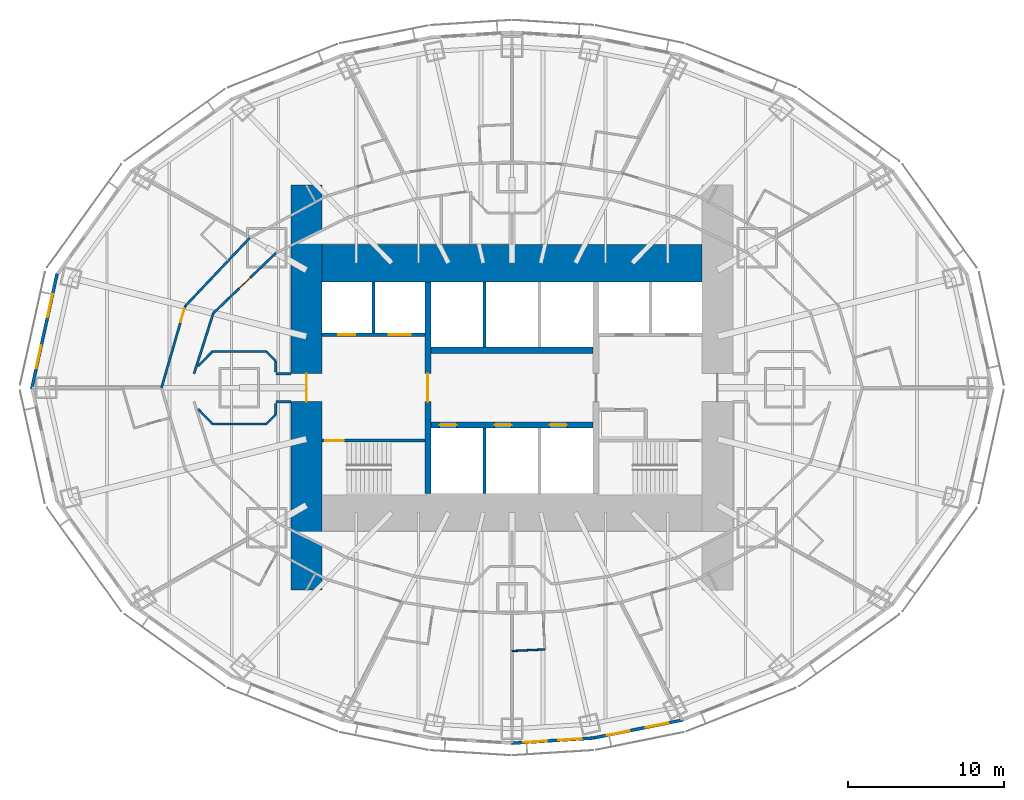
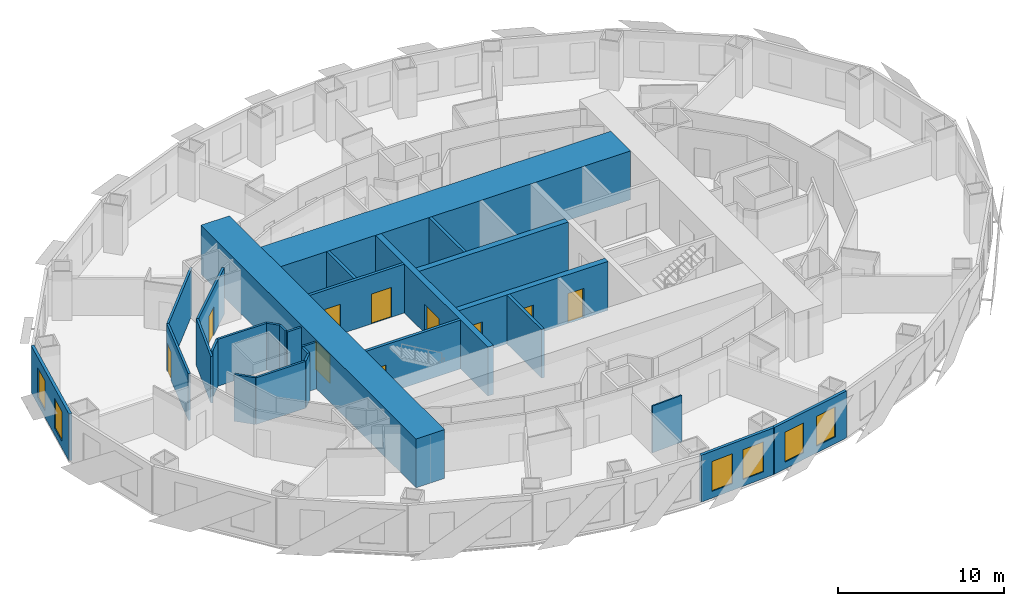
# One storey, part 6 of 15: 28 walls, 10 doors, 6 windows, 16 openings.
"""IFC4 building model written with IfcOpenShell, lengths in metres."""

from ifc_helpers import new_model, si_unit, direction, frame, frame_2d, origin, place, context, subcontext, project, spatial, rectangle, extrude, material, layer, layer_set, type_object, element, fill, save


model = new_model("IFC4")

# Units and contexts
model_context = context("Model", 3, precision=1e-05, world=origin(), true_north=direction((0.0, 1.0)))
body_context = subcontext(model_context, "Body", "Model", "MODEL_VIEW")
ifc_project = project(units=[si_unit("LENGTHUNIT", "METRE"), si_unit("AREAUNIT", "SQUARE_METRE"), si_unit("VOLUMEUNIT", "CUBIC_METRE"), si_unit("PLANEANGLEUNIT", "RADIAN"), si_unit("MASSUNIT", "GRAM", prefix="KILO")], contexts=[model_context])

# Site, building, storey
site_placement = place(None, origin())
site = spatial("IfcSite", under=ifc_project, at=site_placement, CompositionType="ELEMENT")
building_placement = place(site_placement, origin())
building = spatial("IfcBuilding", under=site, at=building_placement, Name="Lantaw Convention Tower", CompositionType="ELEMENT")
storey_placement = place(building_placement, frame((0.0, 0.0, 91.0)))
storey = spatial("IfcBuildingStorey", under=building, at=storey_placement, Name="L21", CompositionType="ELEMENT", Elevation=91.0)

# Wall
ifc_material_1 = material(Name="Moisture resistant gypsum board on steel studs", Category="steel")
ifc_layer_1 = layer(ifc_material_1, 0.10009765625)
ifc_layer_set_1 = layer_set([ifc_layer_1], Name="Bathroom wall 100")
wall_type_1 = type_object("IfcWallType", Name="Bathroom wall 100", PredefinedType="PARTITIONING", material=ifc_layer_set_1)
wall_1_placement = place(storey_placement, frame((2.112060546875, -16.802001953125, 0.0), z_axis=(0.0, 0.0, 1.0), x_axis=(-0.998862383453, -0.047685835668, 0.0)))
element("IfcWall", 1, at=wall_1_placement, inside=storey, type_object=wall_type_1, Name="Bathroom wall 100", PredefinedType="PARTITIONING", context=body_context, shape_type="SweptSolid", body=[
    extrude(rectangle(XDim=2.114501953125, YDim=0.10009765625, at=frame_2d((1.05712890625, 0.0))), origin(), (0.0, 0.0, 1.0), 3.449951171875),
])

# Wall, opening, door
ifc_material_2 = material(Name="Concrete C60/75", Category="concrete")
ifc_layer_2 = layer(ifc_material_2, 0.199951171875)
ifc_layer_set_2 = layer_set([ifc_layer_2], Name="Core wall 200")
wall_type_2 = type_object("IfcWallType", Name="Core wall 200", PredefinedType="SHEAR", material=ifc_layer_set_2)
wall_2_placement = place(storey_placement, frame((-5.60009765625, -3.39990234375, 0.0), z_axis=(0.0, 0.0, 1.0), x_axis=(-1.0, 0.0, 0.0)))
wall_2 = element("IfcWall", 2, at=wall_2_placement, inside=storey, type_object=wall_type_2, Name="Core wall WS", PredefinedType="SHEAR", context=body_context, shape_type="SweptSolid", body=[
    extrude(rectangle(XDim=6.599853515625, YDim=0.199951171875, at=frame_2d((3.2998046875, 0.0))), origin(), (0.0, 0.0, 1.0), 3.60009765625),
])
opening_1_placement = place(wall_2_placement, frame((5.199951171875, 0.0, 0.0)))
opening_1 = element("IfcOpeningElement", 3, at=opening_1_placement, cuts=wall_2, Name="Opening L21.05", PredefinedType="OPENING", context=body_context, shape_type="SweptSolid", body=[
    extrude(rectangle(XDim=1.199951171875, YDim=2.10009765625, at=frame_2d((0.60009765625, 1.050048828125))), frame((0.0, 0.10986328125, 0.0), z_axis=(0.0, -1.0, 0.0), x_axis=(1.0, 0.0, 0.0)), (0.0, 0.0, 1.0), 0.219970703125),
])
ifc_material_3 = material(Name="Steel, fire rated", Category="steel")
door_type_1 = type_object("IfcDoorType", Name="Stair door FD90", OperationType="SINGLE_SWING_RIGHT", PredefinedType="DOOR", material=ifc_material_3)
door_1_placement = place(opening_1_placement, origin())
door_1 = element("IfcDoor", 4, at=door_1_placement, inside=storey, type_object=door_type_1, Name="Exit stair door", OperationType="SINGLE_SWING_RIGHT", OverallHeight=2.10009765625, OverallWidth=1.199951171875, PredefinedType="DOOR", context=body_context, shape_type="SweptSolid", body=[
    extrude(rectangle(XDim=1.199951171875, YDim=2.10009765625, at=frame_2d((0.60009765625, 1.050048828125))), frame((0.0, 0.02490234375, 0.0), z_axis=(0.0, -1.0, 0.0), x_axis=(1.0, 0.0, 0.0)), (0.0, 0.0, 1.0), 0.050048828125),
])
fill(opening_1, door_1)

ifc_layer_3 = layer(ifc_material_2, 2.0)
ifc_layer_set_3 = layer_set([ifc_layer_3], Name="Core wall 2000")
wall_type_3 = type_object("IfcWallType", Name="Core wall 2000", PredefinedType="SHEAR", material=ifc_layer_set_3)
wall_3_placement = place(storey_placement, frame((-13.199951171875, 13.0, 0.0), z_axis=(0.0, 0.0, 1.0), x_axis=(0.0, -1.0, 0.0)))
wall_3 = element("IfcWall", 5, at=wall_3_placement, inside=storey, type_object=wall_type_3, Name="Core wall W", PredefinedType="SHEAR", context=body_context, shape_type="SweptSolid", body=[
    extrude(rectangle(XDim=26.0, YDim=2.0, at=frame_2d((13.0, 0.0))), origin(), (0.0, 0.0, 1.0), 3.60009765625),
])
opening_2_placement = place(wall_3_placement, frame((12.10009765625, 0.0, 0.0)))
opening_2 = element("IfcOpeningElement", 6, at=opening_2_placement, cuts=wall_3, Name="Opening L21.07", PredefinedType="OPENING", context=body_context, shape_type="SweptSolid", body=[
    extrude(rectangle(XDim=1.800048828125, YDim=2.10009765625, at=frame_2d((0.89990234375, 1.050048828125))), frame((0.0, 1.010009765625, 0.0), z_axis=(0.0, -1.0, 0.0), x_axis=(1.0, 0.0, 0.0)), (0.0, 0.0, 1.0), 2.02001953125),
])
door_type_2 = type_object("IfcDoorType", Name="Lobby double door FD90", OperationType="DOUBLE_DOOR_DOUBLE_SWING", PredefinedType="DOOR", material=ifc_material_3)
door_2_placement = place(opening_2_placement, origin())
door_2 = element("IfcDoor", 7, at=door_2_placement, inside=storey, type_object=door_type_2, Name="Firefighting lobby door", OperationType="DOUBLE_DOOR_DOUBLE_SWING", OverallHeight=2.10009765625, OverallWidth=1.800048828125, PredefinedType="DOOR", context=body_context, shape_type="SweptSolid", body=[
    extrude(rectangle(XDim=1.800048828125, YDim=2.10009765625, at=frame_2d((0.89990234375, 1.050048828125))), frame((0.0, 0.02490234375, 0.0), z_axis=(0.0, -1.0, 0.0), x_axis=(1.0, 0.0, 0.0)), (0.0, 0.0, 1.0), 0.050048828125),
])
fill(opening_2, door_2)

# Wall
ifc_layer_4 = layer(ifc_material_2, 2.39990234375)
ifc_layer_set_4 = layer_set([ifc_layer_4], Name="Core wall 2400")
wall_type_4 = type_object("IfcWallType", Name="Core wall 2400", PredefinedType="SHEAR", material=ifc_layer_set_4)
wall_4_placement = place(storey_placement, frame((12.199951171875, 8.0, 0.0), z_axis=(0.0, 0.0, 1.0), x_axis=(-1.0, 0.0, 0.0)))
element("IfcWall", 8, at=wall_4_placement, inside=storey, type_object=wall_type_4, Name="Core wall N", PredefinedType="SHEAR", context=body_context, shape_type="SweptSolid", body=[
    extrude(rectangle(XDim=24.39990234375, YDim=2.39990234375, at=frame_2d((12.199951171875, 0.0))), origin(), (0.0, 0.0, 1.0), 3.60009765625),
])

# Wall, opening, door
ifc_layer_5 = layer(ifc_material_2, 0.39990234375)
ifc_layer_set_5 = layer_set([ifc_layer_5], Name="Core wall 400")
wall_type_5 = type_object("IfcWallType", Name="Core wall 400", PredefinedType="SHEAR", material=ifc_layer_set_5)
wall_5_placement = place(storey_placement, frame((-5.39990234375, 6.800048828125, 0.0), z_axis=(0.0, 0.0, 1.0), x_axis=(0.0, -1.0, 0.0)))
wall_5 = element("IfcWall", 9, at=wall_5_placement, inside=storey, type_object=wall_type_5, Name="Core wall XW", PredefinedType="SHEAR", context=body_context, shape_type="SweptSolid", body=[
    extrude(rectangle(XDim=13.60009765625, YDim=0.39990234375, at=frame_2d((6.800048828125, 0.0))), origin(), (0.0, 0.0, 1.0), 3.60009765625),
])
opening_3_placement = place(wall_5_placement, frame((5.89990234375, 0.0, 0.0)))
opening_3 = element("IfcOpeningElement", 10, at=opening_3_placement, cuts=wall_5, Name="Opening L21.03", PredefinedType="OPENING", context=body_context, shape_type="SweptSolid", body=[
    extrude(rectangle(XDim=1.800048828125, YDim=2.10009765625, at=frame_2d((0.89990234375, 1.050048828125))), frame((0.0, 0.2099609375, 0.0), z_axis=(0.0, -1.0, 0.0), x_axis=(1.0, 0.0, 0.0)), (0.0, 0.0, 1.0), 0.419921875),
])
door_3_placement = place(opening_3_placement, origin())
door_3 = element("IfcDoor", 11, at=door_3_placement, inside=storey, type_object=door_type_2, Name="Lift lobby door", OperationType="DOUBLE_DOOR_DOUBLE_SWING", OverallHeight=2.10009765625, OverallWidth=1.800048828125, PredefinedType="DOOR", context=body_context, shape_type="SweptSolid", body=[
    extrude(rectangle(XDim=1.800048828125, YDim=2.10009765625, at=frame_2d((0.89990234375, 1.050048828125))), frame((0.0, 0.02490234375, 0.0), z_axis=(0.0, -1.0, 0.0), x_axis=(1.0, 0.0, 0.0)), (0.0, 0.0, 1.0), 0.050048828125),
])
fill(opening_3, door_3)

# Wall, openings, doors
wall_6_placement = place(storey_placement, frame((-5.199951171875, -2.39990234375, 0.0), z_axis=(0.0, 0.0, 1.0), x_axis=(1.0, 0.0, 0.0)))
wall_6 = element("IfcWall", 12, at=wall_6_placement, inside=storey, type_object=wall_type_5, Name="Core wall BS", PredefinedType="SHEAR", context=body_context, shape_type="SweptSolid", body=[
    extrude(rectangle(XDim=10.39990234375, YDim=0.39990234375, at=frame_2d((5.199951171875, 0.0))), origin(), (0.0, 0.0, 1.0), 3.60009765625),
])
opening_4_placement = place(wall_6_placement, frame((0.550048828125, 0.0, 0.0)))
opening_4 = element("IfcOpeningElement", 13, at=opening_4_placement, cuts=wall_6, Name="Opening L21.08", PredefinedType="OPENING", context=body_context, shape_type="SweptSolid", body=[
    extrude(rectangle(XDim=1.10009765625, YDim=2.199951171875, at=frame_2d((0.550048828125, 1.10009765625))), frame((0.0, 0.2099609375, 0.0), z_axis=(0.0, -1.0, 0.0), x_axis=(1.0, 0.0, 0.0)), (0.0, 0.0, 1.0), 0.419921875),
])
opening_5_placement = place(wall_6_placement, frame((4.083251953125, 0.0, 0.0)))
opening_5 = element("IfcOpeningElement", 14, at=opening_5_placement, cuts=wall_6, Name="Opening L21.09", PredefinedType="OPENING", context=body_context, shape_type="SweptSolid", body=[
    extrude(rectangle(XDim=1.10009765625, YDim=2.199951171875, at=frame_2d((0.550048828125, 1.10009765625))), frame((0.0, 0.2099609375, 0.0), z_axis=(0.0, -1.0, 0.0), x_axis=(1.0, 0.0, 0.0)), (0.0, 0.0, 1.0), 0.419921875),
])
opening_6_placement = place(wall_6_placement, frame((7.61669921875, 0.0, 0.0)))
opening_6 = element("IfcOpeningElement", 15, at=opening_6_placement, cuts=wall_6, Name="Opening L21.10", PredefinedType="OPENING", context=body_context, shape_type="SweptSolid", body=[
    extrude(rectangle(XDim=1.10009765625, YDim=2.199951171875, at=frame_2d((0.550048828125, 1.10009765625))), frame((0.0, 0.2099609375, 0.0), z_axis=(0.0, -1.0, 0.0), x_axis=(1.0, 0.0, 0.0)), (0.0, 0.0, 1.0), 0.419921875),
])
ifc_material_4 = material(Name="Stainless steel", Category="steel")
door_type_3 = type_object("IfcDoorType", Name="Lift landing door 1100", OperationType="DOUBLE_DOOR_SLIDING", PredefinedType="DOOR", material=ifc_material_4)
door_4_placement = place(opening_4_placement, origin())
door_4 = element("IfcDoor", 16, at=door_4_placement, inside=storey, type_object=door_type_3, Name="Lift landing door H1", OperationType="DOUBLE_DOOR_SLIDING", OverallHeight=2.199951171875, OverallWidth=1.10009765625, PredefinedType="DOOR", context=body_context, shape_type="SweptSolid", body=[
    extrude(rectangle(XDim=1.10009765625, YDim=2.199951171875, at=frame_2d((0.550048828125, 1.10009765625))), frame((0.0, 0.02490234375, 0.0), z_axis=(0.0, -1.0, 0.0), x_axis=(1.0, 0.0, 0.0)), (0.0, 0.0, 1.0), 0.050048828125),
])
fill(opening_4, door_4)
door_5_placement = place(opening_5_placement, origin())
door_5 = element("IfcDoor", 17, at=door_5_placement, inside=storey, type_object=door_type_3, Name="Lift landing door H2", OperationType="DOUBLE_DOOR_SLIDING", OverallHeight=2.199951171875, OverallWidth=1.10009765625, PredefinedType="DOOR", context=body_context, shape_type="SweptSolid", body=[
    extrude(rectangle(XDim=1.10009765625, YDim=2.199951171875, at=frame_2d((0.550048828125, 1.10009765625))), frame((0.0, 0.02490234375, 0.0), z_axis=(0.0, -1.0, 0.0), x_axis=(1.0, 0.0, 0.0)), (0.0, 0.0, 1.0), 0.050048828125),
])
fill(opening_5, door_5)
door_6_placement = place(opening_6_placement, origin())
door_6 = element("IfcDoor", 18, at=door_6_placement, inside=storey, type_object=door_type_3, Name="Lift landing door H3", OperationType="DOUBLE_DOOR_SLIDING", OverallHeight=2.199951171875, OverallWidth=1.10009765625, PredefinedType="DOOR", context=body_context, shape_type="SweptSolid", body=[
    extrude(rectangle(XDim=1.10009765625, YDim=2.199951171875, at=frame_2d((0.550048828125, 1.10009765625))), frame((0.0, 0.02490234375, 0.0), z_axis=(0.0, -1.0, 0.0), x_axis=(1.0, 0.0, 0.0)), (0.0, 0.0, 1.0), 0.050048828125),
])
fill(opening_6, door_6)

# Walls
wall_7_placement = place(storey_placement, frame((5.199951171875, 2.39990234375, 0.0), z_axis=(0.0, 0.0, 1.0), x_axis=(-1.0, 0.0, 0.0)))
element("IfcWall", 19, at=wall_7_placement, inside=storey, type_object=wall_type_5, Name="Core wall BN", PredefinedType="SHEAR", context=body_context, shape_type="SweptSolid", body=[
    extrude(rectangle(XDim=10.39990234375, YDim=0.39990234375, at=frame_2d((5.199951171875, 0.0))), origin(), (0.0, 0.0, 1.0), 3.60009765625),
])
ifc_material_5 = material(Name="Gypsum board on steel studs, fire rated", Category="steel")
ifc_layer_6 = layer(ifc_material_5, 0.14990234375)
ifc_layer_set_6 = layer_set([ifc_layer_6], Name="Corridor wall 150 EI 60")
wall_type_6 = type_object("IfcWallType", Name="Corridor wall 150 EI 60", PredefinedType="PARTITIONING", material=ifc_layer_set_6)
wall_8_placement = place(storey_placement, frame((-16.8349609375, 9.6201171875, 0.0), z_axis=(0.0, 0.0, 1.0), x_axis=(-0.687062608696, -0.726598218916, 0.0)))
element("IfcWall", 20, at=wall_8_placement, inside=storey, type_object=wall_type_6, Name="Corridor wall 150", PredefinedType="PARTITIONING", context=body_context, shape_type="SweptSolid", body=[
    extrude(rectangle(XDim=6.039306640625, YDim=0.14990234375, at=frame_2d((3.01953125, 0.0))), origin(), (0.0, 0.0, 1.0), 3.449951171875),
])

# Wall, opening, door
wall_9_placement = place(storey_placement, frame((-20.984375, 5.23193359375, 0.0), z_axis=(0.0, 0.0, 1.0), x_axis=(-0.278247435376, -0.960509429785, 0.0)))
wall_9 = element("IfcWall", 21, at=wall_9_placement, inside=storey, type_object=wall_type_6, Name="Corridor wall 150", PredefinedType="PARTITIONING", context=body_context, shape_type="SweptSolid", body=[
    extrude(rectangle(XDim=5.447021484375, YDim=0.14990234375, at=frame_2d((2.7236328125, 0.0))), origin(), (0.0, 0.0, 1.0), 3.449951171875),
])
opening_7_placement = place(wall_9_placement, frame((0.14990234375, 0.0, 0.0)))
opening_7 = element("IfcOpeningElement", 22, at=opening_7_placement, cuts=wall_9, Name="Opening L21.36", PredefinedType="OPENING", context=body_context, shape_type="SweptSolid", body=[
    extrude(rectangle(XDim=0.89990234375, YDim=2.10009765625, at=frame_2d((0.449951171875, 1.050048828125))), frame((0.0, 0.0849609375, 0.0), z_axis=(0.0, -1.0, 0.0), x_axis=(1.0, 0.0, 0.0)), (0.0, 0.0, 1.0), 0.169921875),
])
door_type_4 = type_object("IfcDoorType", Name="Guest room entrance door FD30S", OperationType="SINGLE_SWING_LEFT", PredefinedType="DOOR", material=ifc_material_3)
door_7_placement = place(opening_7_placement, origin())
door_7 = element("IfcDoor", 23, at=door_7_placement, inside=storey, type_object=door_type_4, Name="Junior suite entrance door", OperationType="SINGLE_SWING_LEFT", OverallHeight=2.10009765625, OverallWidth=0.89990234375, PredefinedType="DOOR", context=body_context, shape_type="SweptSolid", body=[
    extrude(rectangle(XDim=0.89990234375, YDim=2.10009765625, at=frame_2d((0.449951171875, 1.050048828125))), frame((0.0, 0.02490234375, 0.0), z_axis=(0.0, -1.0, 0.0), x_axis=(1.0, 0.0, 0.0)), (0.0, 0.0, 1.0), 0.050048828125),
])
fill(opening_7, door_7)

wall_10_placement = place(storey_placement, frame((-15.1474609375, 8.65576171875, 0.0), z_axis=(0.0, 0.0, 1.0), x_axis=(-0.720837261072, -0.693104352209, 0.0)))
wall_10 = element("IfcWall", 24, at=wall_10_placement, inside=storey, type_object=wall_type_6, Name="Corridor wall 150", PredefinedType="PARTITIONING", context=body_context, shape_type="SweptSolid", body=[
    extrude(rectangle(XDim=5.590087890625, YDim=0.14990234375, at=frame_2d((2.794921875, 0.0))), origin(), (0.0, 0.0, 1.0), 3.449951171875),
])
opening_8_placement = place(wall_10_placement, frame((2.294921875, 0.0, 0.0)))
opening_8 = element("IfcOpeningElement", 25, at=opening_8_placement, cuts=wall_10, Name="Opening L21.20", PredefinedType="OPENING", context=body_context, shape_type="SweptSolid", body=[
    extrude(rectangle(XDim=1.0, YDim=2.10009765625, at=frame_2d((0.5, 1.050048828125))), frame((0.0, 0.0849609375, 0.0), z_axis=(0.0, -1.0, 0.0), x_axis=(1.0, 0.0, 0.0)), (0.0, 0.0, 1.0), 0.169921875),
])
door_type_5 = type_object("IfcDoorType", Name="Service door 1000 FD30", OperationType="SINGLE_SWING_LEFT", PredefinedType="DOOR", material=ifc_material_3)
door_8_placement = place(opening_8_placement, origin())
door_8 = element("IfcDoor", 26, at=door_8_placement, inside=storey, type_object=door_type_5, Name="Housekeeping room door", OperationType="SINGLE_SWING_LEFT", OverallHeight=2.10009765625, OverallWidth=1.0, PredefinedType="DOOR", context=body_context, shape_type="SweptSolid", body=[
    extrude(rectangle(XDim=1.0, YDim=2.10009765625, at=frame_2d((0.5, 1.050048828125))), frame((0.0, 0.02490234375, 0.0), z_axis=(0.0, -1.0, 0.0), x_axis=(1.0, 0.0, 0.0)), (0.0, 0.0, 1.0), 0.050048828125),
])
fill(opening_8, door_8)

# Walls
wall_11_placement = place(storey_placement, frame((-19.177001953125, 4.78125, 0.0), z_axis=(0.0, 0.0, 1.0), x_axis=(-0.303505448228, -0.952829702988, 0.0)))
element("IfcWall", 27, at=wall_11_placement, inside=storey, type_object=wall_type_6, Name="Corridor wall 150", PredefinedType="PARTITIONING", context=body_context, shape_type="SweptSolid", body=[
    extrude(rectangle(XDim=4.073486328125, YDim=0.14990234375, at=frame_2d((2.03662109375, 0.0))), origin(), (0.0, 0.0, 1.0), 3.449951171875),
])
for number, where, z_axis, x_axis, name in (
    (28, (-14.199951171875, -0.89990234375, 0.0), (0.0, 0.0, 1.0), (-1.0, 0.0, 0.0), "Corridor wall 150"),
    (29, (-14.199951171875, 0.89990234375, 0.0), (0.0, 0.0, 1.0), (-1.0, 0.0, 0.0), "Corridor wall 150"),
):
    element("IfcWall", number, at=place(storey_placement, frame(where, z_axis=z_axis, x_axis=x_axis)), inside=storey, type_object=wall_type_6, Name=name, PredefinedType="PARTITIONING", context=body_context, shape_type="SweptSolid", body=[
        extrude(rectangle(XDim=0.965087890625, YDim=0.14990234375, at=frame_2d((0.482421875, 0.0))), origin(), (0.0, 0.0, 1.0), 3.449951171875),
    ])
wall_12_placement = place(storey_placement, frame((-20.149169921875, 1.383544921875, 0.0), z_axis=(0.0, 0.0, 1.0), x_axis=(0.700694560486, 0.713461374501, 0.0)))
element("IfcWall", 30, at=wall_12_placement, inside=storey, type_object=wall_type_6, Name="Corridor wall 150", PredefinedType="PARTITIONING", context=body_context, shape_type="SweptSolid", body=[
    extrude(rectangle(XDim=1.319580078125, YDim=0.14990234375, at=frame_2d((0.65966796875, 0.0))), origin(), (0.0, 0.0, 1.0), 3.449951171875),
])
wall_13_placement = place(storey_placement, frame((-19.224609375, 2.324951171875, 0.0), z_axis=(0.0, 0.0, 1.0), x_axis=(1.0, 0.0, 0.0)))
element("IfcWall", 31, at=wall_13_placement, inside=storey, type_object=wall_type_6, Name="Corridor wall 150", PredefinedType="PARTITIONING", context=body_context, shape_type="SweptSolid", body=[
    extrude(rectangle(XDim=3.44921875, YDim=0.14990234375, at=frame_2d((1.724609375, 0.0))), origin(), (0.0, 0.0, 1.0), 3.449951171875),
])
wall_14_placement = place(storey_placement, frame((-15.775390625, 2.324951171875, 0.0), z_axis=(0.0, 0.0, 1.0), x_axis=(0.707106781187, -0.707106781187, 0.0)))
element("IfcWall", 32, at=wall_14_placement, inside=storey, type_object=wall_type_6, Name="Corridor wall 150", PredefinedType="PARTITIONING", context=body_context, shape_type="SweptSolid", body=[
    extrude(rectangle(XDim=0.84912109375, YDim=0.14990234375, at=frame_2d((0.424560546875, 0.0))), origin(), (0.0, 0.0, 1.0), 3.449951171875),
])
for number, where, z_axis, x_axis, name in (
    (33, (-15.175048828125, 1.724609375, 0.0), (0.0, 0.0, 1.0), (0.0, -1.0, 0.0), "Corridor wall 150"),
    (34, (-15.175048828125, -1.003173828125, 0.0), (0.0, 0.0, 1.0), (0.0, -1.0, 0.0), "Corridor wall 150"),
):
    element("IfcWall", number, at=place(storey_placement, frame(where, z_axis=z_axis, x_axis=x_axis)), inside=storey, type_object=wall_type_6, Name=name, PredefinedType="PARTITIONING", context=body_context, shape_type="SweptSolid", body=[
        extrude(rectangle(XDim=0.721435546875, YDim=0.14990234375, at=frame_2d((0.36083984375, 0.0))), origin(), (0.0, 0.0, 1.0), 3.449951171875),
    ])
wall_15_placement = place(storey_placement, frame((-15.175048828125, -1.724609375, 0.0), z_axis=(0.0, 0.0, 1.0), x_axis=(-0.707106781187, -0.707106781187, 0.0)))
element("IfcWall", 35, at=wall_15_placement, inside=storey, type_object=wall_type_6, Name="Corridor wall 150", PredefinedType="PARTITIONING", context=body_context, shape_type="SweptSolid", body=[
    extrude(rectangle(XDim=0.84912109375, YDim=0.14990234375, at=frame_2d((0.424560546875, 0.0))), origin(), (0.0, 0.0, 1.0), 3.449951171875),
])
wall_16_placement = place(storey_placement, frame((-15.775390625, -2.324951171875, 0.0), z_axis=(0.0, 0.0, 1.0), x_axis=(-1.0, 0.0, 0.0)))
element("IfcWall", 36, at=wall_16_placement, inside=storey, type_object=wall_type_6, Name="Corridor wall 150", PredefinedType="PARTITIONING", context=body_context, shape_type="SweptSolid", body=[
    extrude(rectangle(XDim=3.44921875, YDim=0.14990234375, at=frame_2d((1.724609375, 0.0))), origin(), (0.0, 0.0, 1.0), 3.449951171875),
])
wall_17_placement = place(storey_placement, frame((-19.224609375, -2.324951171875, 0.0), z_axis=(0.0, 0.0, 1.0), x_axis=(-0.700694560486, 0.713461374501, 0.0)))
element("IfcWall", 37, at=wall_17_placement, inside=storey, type_object=wall_type_6, Name="Corridor wall 150", PredefinedType="PARTITIONING", context=body_context, shape_type="SweptSolid", body=[
    extrude(rectangle(XDim=1.319580078125, YDim=0.14990234375, at=frame_2d((0.65966796875, 0.0))), origin(), (0.0, 0.0, 1.0), 3.449951171875),
])

# Wall, openings, windows
ifc_material_6 = material(Name="Insulated aluminium panel on steel frame", Category="steel")
ifc_layer_7 = layer(ifc_material_6, 0.199951171875)
ifc_layer_set_7 = layer_set([ifc_layer_7], Name="External wall 200")
wall_type_7 = type_object("IfcWallType", Name="External wall 200", PredefinedType="SOLIDWALL", material=ifc_layer_set_7)
wall_18_placement = place(storey_placement, frame((-29.207763671875, 7.318115234375, 0.0), z_axis=(0.0, 0.0, 1.0), x_axis=(-0.215238065514, -0.976561608478, 0.0)))
wall_18 = element("IfcWall", 38, at=wall_18_placement, inside=storey, type_object=wall_type_7, Name="Facade panel wall", PredefinedType="SOLIDWALL", context=body_context, shape_type="SweptSolid", body=[
    extrude(rectangle(XDim=7.562255859375, YDim=0.199951171875, at=frame_2d((3.78125, 0.0))), origin(), (0.0, 0.0, 1.0), 3.449951171875),
])
opening_9_placement = place(wall_18_placement, frame((1.340576171875, 0.0, 0.5)))
opening_9 = element("IfcOpeningElement", 39, at=opening_9_placement, cuts=wall_18, Name="Opening W2", PredefinedType="OPENING", context=body_context, shape_type="SweptSolid", body=[
    extrude(rectangle(XDim=1.5, YDim=2.199951171875, at=frame_2d((0.75, 1.10009765625))), frame((0.0, 0.10986328125, 0.0), z_axis=(0.0, -1.0, 0.0), x_axis=(1.0, 0.0, 0.0)), (0.0, 0.0, 1.0), 0.219970703125),
])
opening_10_placement = place(wall_18_placement, frame((4.7216796875, 0.0, 0.5)))
opening_10 = element("IfcOpeningElement", 40, at=opening_10_placement, cuts=wall_18, Name="Opening W2", PredefinedType="OPENING", context=body_context, shape_type="SweptSolid", body=[
    extrude(rectangle(XDim=1.5, YDim=2.199951171875, at=frame_2d((0.75, 1.10009765625))), frame((0.0, 0.10986328125, 0.0), z_axis=(0.0, -1.0, 0.0), x_axis=(1.0, 0.0, 0.0)), (0.0, 0.0, 1.0), 0.219970703125),
])
ifc_material_7 = material(Name="Aluminium frame, clear insulating glass", Category="aluminium")
window_type = type_object("IfcWindowType", Name="Suite window 1500x2200", PartitioningType="SINGLE_PANEL", PredefinedType="WINDOW", material=ifc_material_7)
window_1_placement = place(opening_9_placement, origin())
window_1 = element("IfcWindow", 41, at=window_1_placement, inside=storey, type_object=window_type, Name="Guest room window", OverallHeight=2.199951171875, OverallWidth=1.5, PartitioningType="SINGLE_PANEL", PredefinedType="WINDOW", context=body_context, shape_type="SweptSolid", body=[
    extrude(rectangle(XDim=1.5, YDim=2.199951171875, at=frame_2d((0.75, 1.10009765625))), frame((0.0, 0.030029296875, 0.0), z_axis=(0.0, -1.0, 0.0), x_axis=(1.0, 0.0, 0.0)), (0.0, 0.0, 1.0), 0.06005859375),
])
fill(opening_9, window_1)
window_2_placement = place(opening_10_placement, origin())
window_2 = element("IfcWindow", 42, at=window_2_placement, inside=storey, type_object=window_type, Name="Guest room window", OverallHeight=2.199951171875, OverallWidth=1.5, PartitioningType="SINGLE_PANEL", PredefinedType="WINDOW", context=body_context, shape_type="SweptSolid", body=[
    extrude(rectangle(XDim=1.5, YDim=2.199951171875, at=frame_2d((0.75, 1.10009765625))), frame((0.0, 0.030029296875, 0.0), z_axis=(0.0, -1.0, 0.0), x_axis=(1.0, 0.0, 0.0)), (0.0, 0.0, 1.0), 0.06005859375),
])
fill(opening_10, window_2)

wall_19_placement = place(storey_placement, frame((-0.041015625, -22.8271484375, 0.0), z_axis=(0.0, 0.0, 1.0), x_axis=(0.998018582375, 0.062919863585, 0.0)))
wall_19 = element("IfcWall", 43, at=wall_19_placement, inside=storey, type_object=wall_type_7, Name="Facade panel wall", PredefinedType="SOLIDWALL", context=body_context, shape_type="SweptSolid", body=[
    extrude(rectangle(XDim=5.30419921875, YDim=0.199951171875, at=frame_2d((2.652099609375, 0.0))), origin(), (0.0, 0.0, 1.0), 3.449951171875),
])
opening_11_placement = place(wall_19_placement, frame((0.77587890625, 0.0, 0.5)))
opening_11 = element("IfcOpeningElement", 44, at=opening_11_placement, cuts=wall_19, Name="Opening W2", PredefinedType="OPENING", context=body_context, shape_type="SweptSolid", body=[
    extrude(rectangle(XDim=1.5, YDim=2.199951171875, at=frame_2d((0.75, 1.10009765625))), frame((0.0, 0.10986328125, 0.0), z_axis=(0.0, -1.0, 0.0), x_axis=(1.0, 0.0, 0.0)), (0.0, 0.0, 1.0), 0.219970703125),
])
opening_12_placement = place(wall_19_placement, frame((3.028076171875, 0.0, 0.5)))
opening_12 = element("IfcOpeningElement", 45, at=opening_12_placement, cuts=wall_19, Name="Opening W2", PredefinedType="OPENING", context=body_context, shape_type="SweptSolid", body=[
    extrude(rectangle(XDim=1.5, YDim=2.199951171875, at=frame_2d((0.75, 1.10009765625))), frame((0.0, 0.10986328125, 0.0), z_axis=(0.0, -1.0, 0.0), x_axis=(1.0, 0.0, 0.0)), (0.0, 0.0, 1.0), 0.219970703125),
])
window_3_placement = place(opening_11_placement, origin())
window_3 = element("IfcWindow", 46, at=window_3_placement, inside=storey, type_object=window_type, Name="Guest room window", OverallHeight=2.199951171875, OverallWidth=1.5, PartitioningType="SINGLE_PANEL", PredefinedType="WINDOW", context=body_context, shape_type="SweptSolid", body=[
    extrude(rectangle(XDim=1.5, YDim=2.199951171875, at=frame_2d((0.75, 1.10009765625))), frame((0.0, 0.030029296875, 0.0), z_axis=(0.0, -1.0, 0.0), x_axis=(1.0, 0.0, 0.0)), (0.0, 0.0, 1.0), 0.06005859375),
])
fill(opening_11, window_3)
window_4_placement = place(opening_12_placement, origin())
window_4 = element("IfcWindow", 47, at=window_4_placement, inside=storey, type_object=window_type, Name="Guest room window", OverallHeight=2.199951171875, OverallWidth=1.5, PartitioningType="SINGLE_PANEL", PredefinedType="WINDOW", context=body_context, shape_type="SweptSolid", body=[
    extrude(rectangle(XDim=1.5, YDim=2.199951171875, at=frame_2d((0.75, 1.10009765625))), frame((0.0, 0.030029296875, 0.0), z_axis=(0.0, -1.0, 0.0), x_axis=(1.0, 0.0, 0.0)), (0.0, 0.0, 1.0), 0.06005859375),
])
fill(opening_12, window_4)

wall_20_placement = place(storey_placement, frame((5.169677734375, -22.504150390625, 0.0), z_axis=(0.0, 0.0, 1.0), x_axis=(0.980251657452, 0.197754110105, 0.0)))
wall_20 = element("IfcWall", 48, at=wall_20_placement, inside=storey, type_object=wall_type_7, Name="Facade panel wall", PredefinedType="SOLIDWALL", context=body_context, shape_type="SweptSolid", body=[
    extrude(rectangle(XDim=5.90380859375, YDim=0.199951171875, at=frame_2d((2.951904296875, 0.0))), origin(), (0.0, 0.0, 1.0), 3.449951171875),
])
opening_13_placement = place(wall_20_placement, frame((0.92578125, 0.0, 0.5)))
opening_13 = element("IfcOpeningElement", 49, at=opening_13_placement, cuts=wall_20, Name="Opening W2", PredefinedType="OPENING", context=body_context, shape_type="SweptSolid", body=[
    extrude(rectangle(XDim=1.5, YDim=2.199951171875, at=frame_2d((0.75, 1.10009765625))), frame((0.0, 0.10986328125, 0.0), z_axis=(0.0, -1.0, 0.0), x_axis=(1.0, 0.0, 0.0)), (0.0, 0.0, 1.0), 0.219970703125),
])
opening_14_placement = place(wall_20_placement, frame((3.477783203125, 0.0, 0.5)))
opening_14 = element("IfcOpeningElement", 50, at=opening_14_placement, cuts=wall_20, Name="Opening W2", PredefinedType="OPENING", context=body_context, shape_type="SweptSolid", body=[
    extrude(rectangle(XDim=1.5, YDim=2.199951171875, at=frame_2d((0.75, 1.10009765625))), frame((0.0, 0.10986328125, 0.0), z_axis=(0.0, -1.0, 0.0), x_axis=(1.0, 0.0, 0.0)), (0.0, 0.0, 1.0), 0.219970703125),
])
window_5_placement = place(opening_13_placement, origin())
window_5 = element("IfcWindow", 51, at=window_5_placement, inside=storey, type_object=window_type, Name="Guest room window", OverallHeight=2.199951171875, OverallWidth=1.5, PartitioningType="SINGLE_PANEL", PredefinedType="WINDOW", context=body_context, shape_type="SweptSolid", body=[
    extrude(rectangle(XDim=1.5, YDim=2.199951171875, at=frame_2d((0.75, 1.10009765625))), frame((0.0, 0.030029296875, 0.0), z_axis=(0.0, -1.0, 0.0), x_axis=(1.0, 0.0, 0.0)), (0.0, 0.0, 1.0), 0.06005859375),
])
fill(opening_13, window_5)
window_6_placement = place(opening_14_placement, origin())
window_6 = element("IfcWindow", 52, at=window_6_placement, inside=storey, type_object=window_type, Name="Guest room window", OverallHeight=2.199951171875, OverallWidth=1.5, PartitioningType="SINGLE_PANEL", PredefinedType="WINDOW", context=body_context, shape_type="SweptSolid", body=[
    extrude(rectangle(XDim=1.5, YDim=2.199951171875, at=frame_2d((0.75, 1.10009765625))), frame((0.0, 0.030029296875, 0.0), z_axis=(0.0, -1.0, 0.0), x_axis=(1.0, 0.0, 0.0)), (0.0, 0.0, 1.0), 0.06005859375),
])
fill(opening_14, window_6)

# Wall
ifc_material_8 = material(Name="Concrete blockwork, fire rated", Category="masonry")
ifc_layer_8 = layer(ifc_material_8, 0.199951171875)
ifc_layer_set_8 = layer_set([ifc_layer_8], Name="Shaft wall 200")
wall_type_8 = type_object("IfcWallType", Name="Shaft wall 200", PredefinedType="SOLIDWALL", material=ifc_layer_set_8)
wall_21_placement = place(storey_placement, frame((-1.7666015625, 2.60009765625, 0.0), z_axis=(0.0, 0.0, 1.0), x_axis=(0.0, 1.0, 0.0)))
element("IfcWall", 53, at=wall_21_placement, inside=storey, type_object=wall_type_8, Name="Shaft wall DN1", PredefinedType="SOLIDWALL", context=body_context, shape_type="SweptSolid", body=[
    extrude(rectangle(XDim=4.199951171875, YDim=0.199951171875, at=frame_2d((2.10009765625, 0.0))), origin(), (0.0, 0.0, 1.0), 3.60009765625),
])

# Wall, openings, doors
wall_22_placement = place(storey_placement, frame((-12.199951171875, 3.39990234375, 0.0), z_axis=(0.0, 0.0, 1.0), x_axis=(1.0, 0.0, 0.0)))
wall_22 = element("IfcWall", 54, at=wall_22_placement, inside=storey, type_object=wall_type_8, Name="Shaft wall WN", PredefinedType="SOLIDWALL", context=body_context, shape_type="SweptSolid", body=[
    extrude(rectangle(XDim=6.599853515625, YDim=0.199951171875, at=frame_2d((3.2998046875, 0.0))), origin(), (0.0, 0.0, 1.0), 3.60009765625),
])
opening_15_placement = place(wall_22_placement, frame((1.050048828125, 0.0, 0.0)))
opening_15 = element("IfcOpeningElement", 55, at=opening_15_placement, cuts=wall_22, Name="Opening L21.11", PredefinedType="OPENING", context=body_context, shape_type="SweptSolid", body=[
    extrude(rectangle(XDim=1.10009765625, YDim=2.199951171875, at=frame_2d((0.550048828125, 1.10009765625))), frame((0.0, 0.10986328125, 0.0), z_axis=(0.0, -1.0, 0.0), x_axis=(1.0, 0.0, 0.0)), (0.0, 0.0, 1.0), 0.219970703125),
])
opening_16_placement = place(wall_22_placement, frame((4.300048828125, 0.0, 0.0)))
opening_16 = element("IfcOpeningElement", 56, at=opening_16_placement, cuts=wall_22, Name="Opening L21.12", PredefinedType="OPENING", context=body_context, shape_type="SweptSolid", body=[
    extrude(rectangle(XDim=1.39990234375, YDim=2.199951171875, at=frame_2d((0.699951171875, 1.10009765625))), frame((0.0, 0.10986328125, 0.0), z_axis=(0.0, -1.0, 0.0), x_axis=(1.0, 0.0, 0.0)), (0.0, 0.0, 1.0), 0.219970703125),
])
door_9_placement = place(opening_15_placement, origin())
door_9 = element("IfcDoor", 57, at=door_9_placement, inside=storey, type_object=door_type_3, Name="Lift landing door FF1", OperationType="DOUBLE_DOOR_SLIDING", OverallHeight=2.199951171875, OverallWidth=1.10009765625, PredefinedType="DOOR", context=body_context, shape_type="SweptSolid", body=[
    extrude(rectangle(XDim=1.10009765625, YDim=2.199951171875, at=frame_2d((0.550048828125, 1.10009765625))), frame((0.0, 0.02490234375, 0.0), z_axis=(0.0, -1.0, 0.0), x_axis=(1.0, 0.0, 0.0)), (0.0, 0.0, 1.0), 0.050048828125),
])
fill(opening_15, door_9)
door_type_6 = type_object("IfcDoorType", Name="Lift landing door 1400", OperationType="DOUBLE_DOOR_SLIDING", PredefinedType="DOOR", material=ifc_material_4)
door_10_placement = place(opening_16_placement, origin())
door_10 = element("IfcDoor", 58, at=door_10_placement, inside=storey, type_object=door_type_6, Name="Lift landing door SV1", OperationType="DOUBLE_DOOR_SLIDING", OverallHeight=2.199951171875, OverallWidth=1.39990234375, PredefinedType="DOOR", context=body_context, shape_type="SweptSolid", body=[
    extrude(rectangle(XDim=1.39990234375, YDim=2.199951171875, at=frame_2d((0.699951171875, 1.10009765625))), frame((0.0, 0.02490234375, 0.0), z_axis=(0.0, -1.0, 0.0), x_axis=(1.0, 0.0, 0.0)), (0.0, 0.0, 1.0), 0.050048828125),
])
fill(opening_16, door_10)

# Walls
wall_23_placement = place(storey_placement, frame((-8.89990234375, 3.5, 0.0), z_axis=(0.0, 0.0, 1.0), x_axis=(0.0, 1.0, 0.0)))
element("IfcWall", 59, at=wall_23_placement, inside=storey, type_object=wall_type_8, Name="Shaft wall WD", PredefinedType="SOLIDWALL", context=body_context, shape_type="SweptSolid", body=[
    extrude(rectangle(XDim=3.300048828125, YDim=0.199951171875, at=frame_2d((1.64990234375, 0.0))), origin(), (0.0, 0.0, 1.0), 3.60009765625),
])
ifc_layer_9 = layer(ifc_material_8, 0.199951171875)
ifc_layer_set_9 = layer_set([ifc_layer_9], Name="Shaft wall 200 load-bearing")
wall_type_9 = type_object("IfcWallType", Name="Shaft wall 200 load-bearing", PredefinedType="SOLIDWALL", material=ifc_layer_set_9)
wall_24_placement = place(storey_placement, frame((-1.7666015625, -2.60009765625, 0.0), z_axis=(0.0, 0.0, 1.0), x_axis=(0.0, -1.0, 0.0)))
element("IfcWall", 60, at=wall_24_placement, inside=storey, type_object=wall_type_9, Name="Shaft wall DS1", PredefinedType="SOLIDWALL", context=body_context, shape_type="SweptSolid", body=[
    extrude(rectangle(XDim=4.199951171875, YDim=0.199951171875, at=frame_2d((2.10009765625, 0.0))), origin(), (0.0, 0.0, 1.0), 3.60009765625),
])

save(model, "model.ifc")
